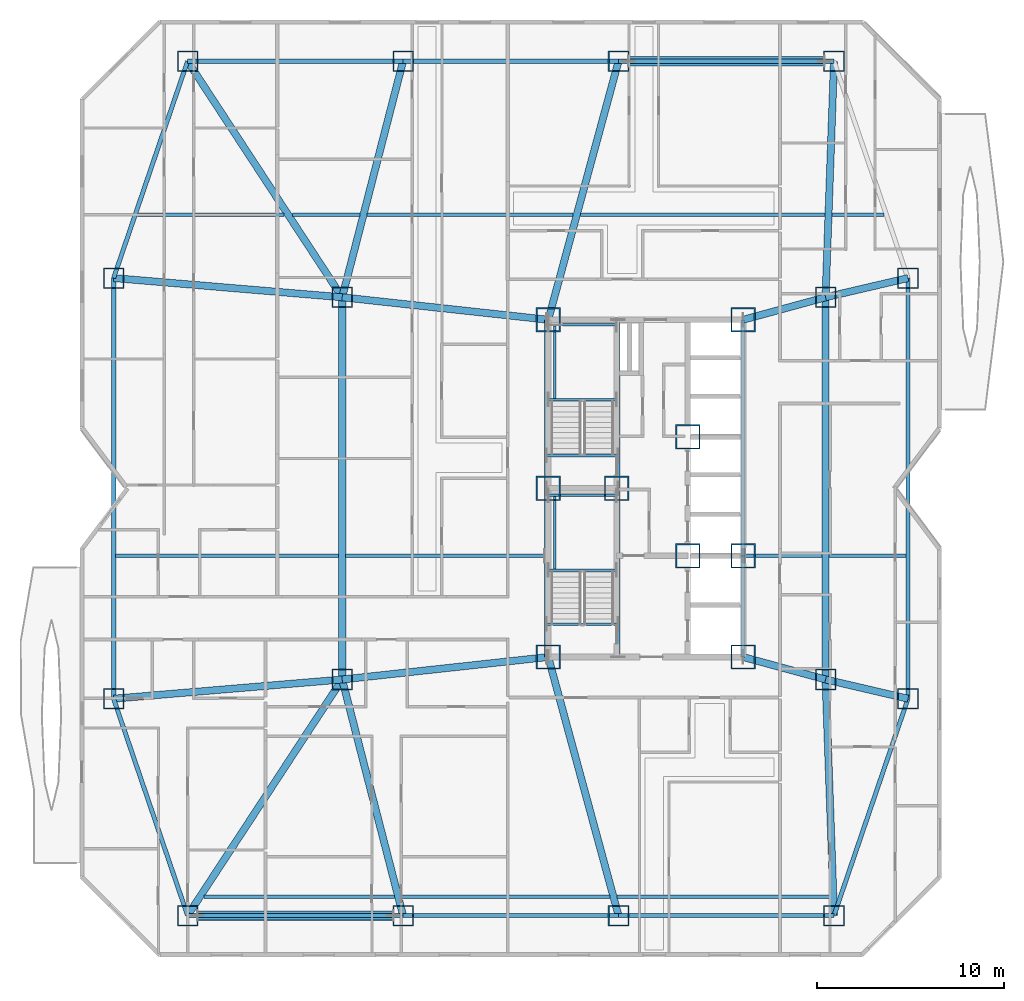
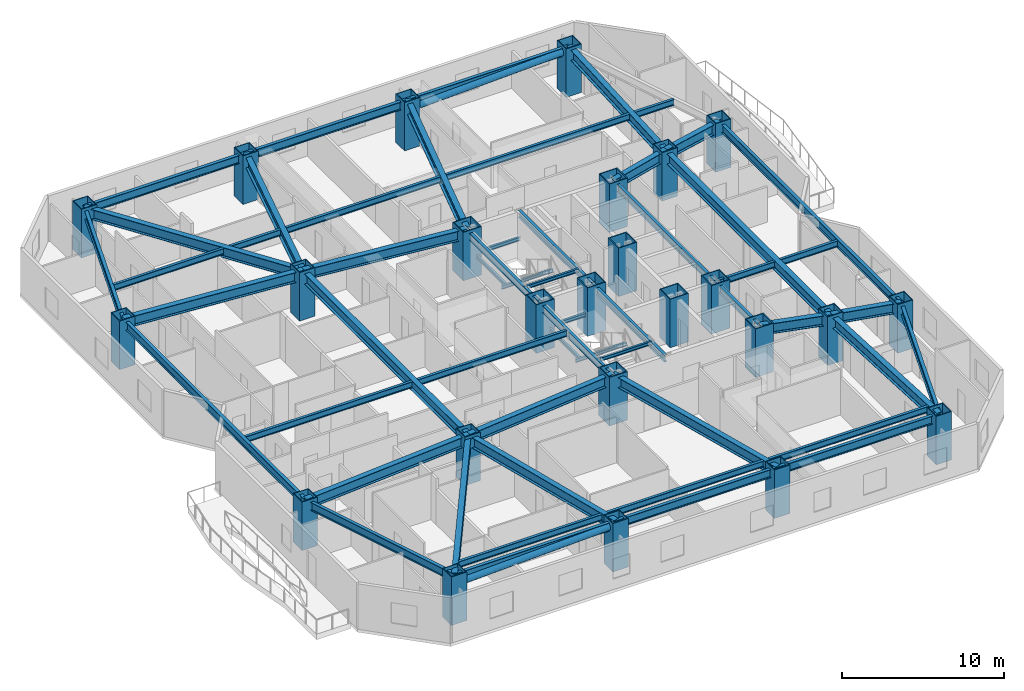
# One storey, part 1 of 17: 55 beams, 25 columns, 2 members.
"""IFC4 building model written with IfcOpenShell, lengths in metres."""

from ifc_helpers import new_model, si_unit, direction, frame, origin, origin_2d, place, context, subcontext, project, spatial, hollow_rectangle, hollow_circle, i_section, extrude, material, material_profile, profile_set, type_object, element, save


model = new_model("IFC4")

# Units and contexts
model_context = context("Model", 3, precision=1e-05, world=origin(), true_north=direction((0.0, 1.0)))
body_context = subcontext(model_context, "Body", "Model", "MODEL_VIEW")
ifc_project = project(units=[si_unit("LENGTHUNIT", "METRE"), si_unit("AREAUNIT", "SQUARE_METRE"), si_unit("VOLUMEUNIT", "CUBIC_METRE"), si_unit("PLANEANGLEUNIT", "RADIAN"), si_unit("MASSUNIT", "GRAM", prefix="KILO")], contexts=[model_context])

# Site, building, storey
site_placement = place(None, origin())
site = spatial("IfcSite", under=ifc_project, at=site_placement, CompositionType="ELEMENT")
building_placement = place(site_placement, origin())
building = spatial("IfcBuilding", under=site, at=building_placement, Name="Khamvora Tower", CompositionType="ELEMENT")
storey_placement = place(building_placement, frame((0.0, 0.0, 44.25)))
storey = spatial("IfcBuildingStorey", under=building, at=storey_placement, Name="L10", CompositionType="ELEMENT", Elevation=44.25)

# Columns
ifc_material_1 = material(Name="Steel S460", Category="steel")
ifc_material_profile_1 = material_profile(ifc_material_1, hollow_rectangle(XDim=1.10009765625, YDim=1.10009765625, WallThickness=0.054931640625, at=origin_2d()), Name="BOX1100x1100x55")
ifc_profile_set_1 = profile_set([ifc_material_profile_1], Name="Steel S460")
column_type_1 = type_object("IfcColumnType", Name="COL-BOX1100", PredefinedType="COLUMN", material=ifc_profile_set_1)
for number, where, z_axis, x_axis, name in (
    (1, (9.75, 5.199951171875, 0.0), (0.0, 0.0, 1.0), (1.0, 0.0, 0.0), "L10 structural frame column S1"),
    (2, (21.25, 5.199951171875, 0.0), (0.0, 0.0, 1.0), (1.0, 0.0, 0.0), "L10 structural frame column S2"),
    (3, (32.75, 5.199951171875, 0.0), (0.0, 0.0, 1.0), (1.0, 0.0, 0.0), "L10 structural frame column S3"),
    (4, (44.25, 5.199951171875, 0.0), (0.0, 0.0, 1.0), (1.0, 0.0, 0.0), "L10 structural frame column S4"),
    (5, (9.75, 50.800048828125, 0.0), (0.0, 0.0, 1.0), (1.0, 0.0, 0.0), "L10 structural frame column N1"),
    (6, (21.25, 50.800048828125, 0.0), (0.0, 0.0, 1.0), (1.0, 0.0, 0.0), "L10 structural frame column N2"),
    (7, (32.75, 50.800048828125, 0.0), (0.0, 0.0, 1.0), (1.0, 0.0, 0.0), "L10 structural frame column N3"),
    (8, (44.25, 50.800048828125, 0.0), (0.0, 0.0, 1.0), (1.0, 0.0, 0.0), "L10 structural frame column N4"),
    (9, (5.800048828125, 16.77490234375, 0.0), (0.0, 0.0, 1.0), (1.0, 0.0, 0.0), "L10 structural frame column W1"),
    (10, (5.800048828125, 39.22509765625, 0.0), (0.0, 0.0, 1.0), (1.0, 0.0, 0.0), "L10 structural frame column W2"),
    (11, (48.199951171875, 16.77490234375, 0.0), (0.0, 0.0, 1.0), (1.0, 0.0, 0.0), "L10 structural frame column E1"),
    (12, (48.199951171875, 39.22509765625, 0.0), (0.0, 0.0, 1.0), (1.0, 0.0, 0.0), "L10 structural frame column E2"),
    (13, (18.0, 17.800048828125, 0.0), (0.0, 0.0, 1.0), (1.0, 0.0, 0.0), "L10 structural frame column MW1"),
    (14, (18.0, 38.199951171875, 0.0), (0.0, 0.0, 1.0), (1.0, 0.0, 0.0), "L10 structural frame column MW2"),
    (15, (43.800048828125, 17.800048828125, 0.0), (0.0, 0.0, 1.0), (1.0, 0.0, 0.0), "L10 structural frame column M1"),
    (16, (43.800048828125, 38.199951171875, 0.0), (0.0, 0.0, 1.0), (1.0, 0.0, 0.0), "L10 structural frame column M2"),
):
    element("IfcColumn", number, at=place(storey_placement, frame(where, z_axis=z_axis, x_axis=x_axis)), inside=storey, type_object=column_type_1, Name=name, PredefinedType="COLUMN", context=body_context, shape_type="SweptSolid", body=[
        extrude(hollow_rectangle(XDim=1.10009765625, YDim=1.10009765625, WallThickness=0.054931640625, at=origin_2d()), origin(), (0.0, 0.0, 1.0), 3.64990234375),
    ])
ifc_material_profile_2 = material_profile(ifc_material_1, hollow_rectangle(XDim=1.300048828125, YDim=1.300048828125, WallThickness=0.06494140625, at=origin_2d()), Name="BOX1300x1300x65")
ifc_profile_set_2 = profile_set([ifc_material_profile_2], Name="Steel S460")
column_type_2 = type_object("IfcColumnType", Name="COL-BOX1300", PredefinedType="COLUMN", material=ifc_profile_set_2)
for number, where, z_axis, x_axis, name in (
    (17, (29.0, 19.0, 0.0), (0.0, 0.0, 1.0), (1.0, 0.0, 0.0), "L10 plumb core spine column SC1"),
    (18, (32.64990234375, 28.0, 0.0), (0.0, 0.0, 1.0), (1.0, 0.0, 0.0), "L10 plumb core spine column SC2"),
    (19, (39.39990234375, 19.0, 0.0), (0.0, 0.0, 1.0), (1.0, 0.0, 0.0), "L10 plumb core spine column SC3"),
    (20, (29.0, 28.0, 0.0), (0.0, 0.0, 1.0), (1.0, 0.0, 0.0), "L10 plumb core spine column SC4"),
    (21, (36.449951171875, 24.39990234375, 0.0), (0.0, 0.0, 1.0), (1.0, 0.0, 0.0), "L10 plumb core spine column SC5"),
    (22, (39.39990234375, 24.39990234375, 0.0), (0.0, 0.0, 1.0), (1.0, 0.0, 0.0), "L10 plumb core spine column SC6"),
    (23, (29.0, 37.0, 0.0), (0.0, 0.0, 1.0), (1.0, 0.0, 0.0), "L10 plumb core spine column SC7"),
    (24, (36.449951171875, 30.75, 0.0), (0.0, 0.0, 1.0), (1.0, 0.0, 0.0), "L10 plumb core spine column SC8"),
    (25, (39.39990234375, 37.0, 0.0), (0.0, 0.0, 1.0), (1.0, 0.0, 0.0), "L10 plumb core spine column SC9"),
):
    element("IfcColumn", number, at=place(storey_placement, frame(where, z_axis=z_axis, x_axis=x_axis)), inside=storey, type_object=column_type_2, Name=name, PredefinedType="COLUMN", context=body_context, shape_type="SweptSolid", body=[
        extrude(hollow_rectangle(XDim=1.300048828125, YDim=1.300048828125, WallThickness=0.06494140625, at=origin_2d()), origin(), (0.0, 0.0, 1.0), 3.64990234375),
    ])

# Beams
ifc_material_2 = material(Name="Steel S355", Category="steel")
ifc_material_profile_3 = material_profile(ifc_material_2, i_section(OverallWidth=0.19189453125, OverallDepth=0.462890625, WebThickness=0.010986328125, FlangeThickness=0.01806640625, FilletRadius=0.011962890625, at=origin_2d()), Name="W460x89")
ifc_profile_set_3 = profile_set([ifc_material_profile_3], Name="Steel S355")
beam_type_1 = type_object("IfcBeamType", Name="BM-JS-W460x89", PredefinedType="JOIST", material=ifc_profile_set_3)
beam_1_placement = place(storey_placement, frame((10.626953125, 6.199951171875, 3.198974609375), z_axis=(1.0, 0.0, 0.0), x_axis=(0.0, 1.0, 0.0)))
element("IfcBeam", 26, at=beam_1_placement, inside=storey, type_object=beam_type_1, Name="L10 secondary floor joist 01", PredefinedType="JOIST", context=body_context, shape_type="SweptSolid", body=[
    extrude(i_section(OverallWidth=0.19189453125, OverallDepth=0.462890625, WebThickness=0.010986328125, FlangeThickness=0.01806640625, FilletRadius=0.011962890625, at=origin_2d()), origin(), (0.0, 0.0, 1.0), 10.173095703125),
])
beam_2_placement = place(storey_placement, frame((21.18408203125, 6.199951171875, 3.198974609375), z_axis=(1.0, 0.0, 0.0), x_axis=(0.0, 1.0, 0.0)))
element("IfcBeam", 27, at=beam_2_placement, inside=storey, type_object=beam_type_1, Name="L10 secondary floor joist 02", PredefinedType="JOIST", context=body_context, shape_type="SweptSolid", body=[
    extrude(i_section(OverallWidth=0.19189453125, OverallDepth=0.462890625, WebThickness=0.010986328125, FlangeThickness=0.01806640625, FilletRadius=0.011962890625, at=origin_2d()), origin(), (0.0, 0.0, 1.0), 11.101806640625),
])
beam_3_placement = place(storey_placement, frame((32.6708984375, 6.199951171875, 3.198974609375), z_axis=(1.0, 0.0, 0.0), x_axis=(0.0, 1.0, 0.0)))
element("IfcBeam", 28, at=beam_3_placement, inside=storey, type_object=beam_type_1, Name="L10 secondary floor joist 03", PredefinedType="JOIST", context=body_context, shape_type="SweptSolid", body=[
    extrude(i_section(OverallWidth=0.19189453125, OverallDepth=0.462890625, WebThickness=0.010986328125, FlangeThickness=0.01806640625, FilletRadius=0.011962890625, at=origin_2d()), origin(), (0.0, 0.0, 1.0), 11.358154296875),
])
beam_4_placement = place(storey_placement, frame((5.909912109375, 24.39990234375, 3.198974609375), z_axis=(1.0, 0.0, 0.0), x_axis=(0.0, 1.0, 0.0)))
element("IfcBeam", 29, at=beam_4_placement, inside=storey, type_object=beam_type_1, Name="L10 secondary floor joist 04", PredefinedType="JOIST", context=body_context, shape_type="SweptSolid", body=[
    extrude(i_section(OverallWidth=0.19189453125, OverallDepth=0.462890625, WebThickness=0.010986328125, FlangeThickness=0.01806640625, FilletRadius=0.011962890625, at=origin_2d()), origin(), (0.0, 0.0, 1.0), 11.904052734375),
])
beam_5_placement = place(storey_placement, frame((18.18603515625, 24.39990234375, 3.198974609375), z_axis=(1.0, 0.0, 0.0), x_axis=(0.0, 1.0, 0.0)))
element("IfcBeam", 30, at=beam_5_placement, inside=storey, type_object=beam_type_1, Name="L10 secondary floor joist 05", PredefinedType="JOIST", context=body_context, shape_type="SweptSolid", body=[
    extrude(i_section(OverallWidth=0.19189453125, OverallDepth=0.462890625, WebThickness=0.010986328125, FlangeThickness=0.01806640625, FilletRadius=0.011962890625, at=origin_2d()), origin(), (0.0, 0.0, 1.0), 10.614013671875),
])
beam_6_placement = place(storey_placement, frame((39.4990234375, 24.39990234375, 3.198974609375), z_axis=(1.0, 0.0, 0.0), x_axis=(0.0, 1.0, 0.0)))
element("IfcBeam", 31, at=beam_6_placement, inside=storey, type_object=beam_type_1, Name="L10 secondary floor joist 06", PredefinedType="JOIST", context=body_context, shape_type="SweptSolid", body=[
    extrude(i_section(OverallWidth=0.19189453125, OverallDepth=0.462890625, WebThickness=0.010986328125, FlangeThickness=0.01806640625, FilletRadius=0.011962890625, at=origin_2d()), origin(), (0.0, 0.0, 1.0), 4.114990234375),
])
beam_7_placement = place(storey_placement, frame((43.985107421875, 24.39990234375, 3.198974609375), z_axis=(1.0, 0.0, 0.0), x_axis=(0.0, 1.0, 0.0)))
element("IfcBeam", 32, at=beam_7_placement, inside=storey, type_object=beam_type_1, Name="L10 secondary floor joist 07", PredefinedType="JOIST", context=body_context, shape_type="SweptSolid", body=[
    extrude(i_section(OverallWidth=0.19189453125, OverallDepth=0.462890625, WebThickness=0.010986328125, FlangeThickness=0.01806640625, FilletRadius=0.011962890625, at=origin_2d()), origin(), (0.0, 0.0, 1.0), 4.10498046875),
])
beam_8_placement = place(storey_placement, frame((7.068115234375, 42.60009765625, 3.198974609375), z_axis=(1.0, 0.0, 0.0), x_axis=(0.0, 1.0, 0.0)))
element("IfcBeam", 33, at=beam_8_placement, inside=storey, type_object=beam_type_1, Name="L10 secondary floor joist 08", PredefinedType="JOIST", context=body_context, shape_type="SweptSolid", body=[
    extrude(i_section(OverallWidth=0.19189453125, OverallDepth=0.462890625, WebThickness=0.010986328125, FlangeThickness=0.01806640625, FilletRadius=0.011962890625, at=origin_2d()), origin(), (0.0, 0.0, 1.0), 7.827880859375),
])
beam_9_placement = place(storey_placement, frame((15.342041015625, 42.60009765625, 3.198974609375), z_axis=(1.0, 0.0, 0.0), x_axis=(0.0, 1.0, 0.0)))
element("IfcBeam", 34, at=beam_9_placement, inside=storey, type_object=beam_type_1, Name="L10 secondary floor joist 09", PredefinedType="JOIST", context=body_context, shape_type="SweptSolid", body=[
    extrude(i_section(OverallWidth=0.19189453125, OverallDepth=0.462890625, WebThickness=0.010986328125, FlangeThickness=0.01806640625, FilletRadius=0.011962890625, at=origin_2d()), origin(), (0.0, 0.0, 1.0), 3.60107421875),
])
beam_10_placement = place(storey_placement, frame((19.326904296875, 42.60009765625, 3.198974609375), z_axis=(1.0, 0.0, 0.0), x_axis=(0.0, 1.0, 0.0)))
element("IfcBeam", 35, at=beam_10_placement, inside=storey, type_object=beam_type_1, Name="L10 secondary floor joist 10", PredefinedType="JOIST", context=body_context, shape_type="SweptSolid", body=[
    extrude(i_section(OverallWidth=0.19189453125, OverallDepth=0.462890625, WebThickness=0.010986328125, FlangeThickness=0.01806640625, FilletRadius=0.011962890625, at=origin_2d()), origin(), (0.0, 0.0, 1.0), 11.002197265625),
])
beam_11_placement = place(storey_placement, frame((30.714111328125, 42.60009765625, 3.198974609375), z_axis=(1.0, 0.0, 0.0), x_axis=(0.0, 1.0, 0.0)))
element("IfcBeam", 36, at=beam_11_placement, inside=storey, type_object=beam_type_1, Name="L10 secondary floor joist 11", PredefinedType="JOIST", context=body_context, shape_type="SweptSolid", body=[
    extrude(i_section(OverallWidth=0.19189453125, OverallDepth=0.462890625, WebThickness=0.010986328125, FlangeThickness=0.01806640625, FilletRadius=0.011962890625, at=origin_2d()), origin(), (0.0, 0.0, 1.0), 13.057861328125),
])
beam_12_placement = place(storey_placement, frame((44.14306640625, 42.60009765625, 3.198974609375), z_axis=(1.0, 0.0, 0.0), x_axis=(0.0, 1.0, 0.0)))
element("IfcBeam", 37, at=beam_12_placement, inside=storey, type_object=beam_type_1, Name="L10 secondary floor joist 12", PredefinedType="JOIST", context=body_context, shape_type="SweptSolid", body=[
    extrude(i_section(OverallWidth=0.19189453125, OverallDepth=0.462890625, WebThickness=0.010986328125, FlangeThickness=0.01806640625, FilletRadius=0.011962890625, at=origin_2d()), origin(), (0.0, 0.0, 1.0), 2.788818359375),
])
ifc_material_profile_4 = material_profile(ifc_material_2, i_section(OverallWidth=0.14697265625, OverallDepth=0.261962890625, WebThickness=0.007080078125, FlangeThickness=0.010986328125, FilletRadius=0.008056640625, at=origin_2d()), Name="W250x39")
ifc_profile_set_4 = profile_set([ifc_material_profile_4], Name="Steel S355")
beam_type_2 = type_object("IfcBeamType", Name="BM-LN-W250x39", PredefinedType="LINTEL", material=ifc_profile_set_4)
for number, where, z_axis, x_axis, name in (
    (38, (29.0, 23.635009765625, 1.493896484375), (1.0, 0.0, 0.0), (0.0, 1.0, 0.0), "L10 ST-01 half-landing support beam 1.1"),
    (39, (29.0, 27.6298828125, 1.493896484375), (1.0, 0.0, 0.0), (0.0, 1.0, 0.0), "L10 ST-01 half-landing support beam 1.2"),
):
    element("IfcBeam", number, at=place(storey_placement, frame(where, z_axis=z_axis, x_axis=x_axis)), inside=storey, type_object=beam_type_2, Name=name, PredefinedType="LINTEL", context=body_context, shape_type="SweptSolid", body=[
        extrude(i_section(OverallWidth=0.14697265625, OverallDepth=0.261962890625, WebThickness=0.007080078125, FlangeThickness=0.010986328125, FilletRadius=0.008056640625, at=origin_2d()), origin(), (0.0, 0.0, 1.0), 3.64990234375),
    ])
beam_13_placement = place(storey_placement, frame((29.35009765625, 23.635009765625, 1.493896484375), z_axis=(0.0, 1.0, 0.0), x_axis=(-1.0, 0.0, 0.0)))
element("IfcBeam", 40, at=beam_13_placement, inside=storey, type_object=beam_type_2, Name="L10 ST-01 half-landing edge stringer 1", PredefinedType="LINTEL", context=body_context, shape_type="SweptSolid", body=[
    extrude(i_section(OverallWidth=0.14697265625, OverallDepth=0.261962890625, WebThickness=0.007080078125, FlangeThickness=0.010986328125, FilletRadius=0.008056640625, at=origin_2d()), origin(), (0.0, 0.0, 1.0), 3.994873046875),
])
for number, where, z_axis, x_axis, name in (
    (41, (29.0, 32.735107421875, 1.493896484375), (1.0, 0.0, 0.0), (0.0, 1.0, 0.0), "L10 ST-02 half-landing support beam 1.1"),
    (42, (29.0, 36.72998046875, 1.493896484375), (1.0, 0.0, 0.0), (0.0, 1.0, 0.0), "L10 ST-02 half-landing support beam 1.2"),
):
    element("IfcBeam", number, at=place(storey_placement, frame(where, z_axis=z_axis, x_axis=x_axis)), inside=storey, type_object=beam_type_2, Name=name, PredefinedType="LINTEL", context=body_context, shape_type="SweptSolid", body=[
        extrude(i_section(OverallWidth=0.14697265625, OverallDepth=0.261962890625, WebThickness=0.007080078125, FlangeThickness=0.010986328125, FilletRadius=0.008056640625, at=origin_2d()), origin(), (0.0, 0.0, 1.0), 3.64990234375),
    ])
beam_14_placement = place(storey_placement, frame((29.35009765625, 32.735107421875, 1.493896484375), z_axis=(0.0, 1.0, 0.0), x_axis=(-1.0, 0.0, 0.0)))
element("IfcBeam", 43, at=beam_14_placement, inside=storey, type_object=beam_type_2, Name="L10 ST-02 half-landing edge stringer 1", PredefinedType="LINTEL", context=body_context, shape_type="SweptSolid", body=[
    extrude(i_section(OverallWidth=0.14697265625, OverallDepth=0.261962890625, WebThickness=0.007080078125, FlangeThickness=0.010986328125, FilletRadius=0.008056640625, at=origin_2d()), origin(), (0.0, 0.0, 1.0), 3.994873046875),
])
for number, where, z_axis, x_axis, name in (
    (44, (28.89990234375, 20.75, 3.303955078125), (1.0, 0.0, 0.0), (0.0, 1.0, 0.0), "L10 exit stair ST-01 landing trimmer beam"),
    (45, (28.89990234375, 29.75, 3.303955078125), (1.0, 0.0, 0.0), (0.0, 1.0, 0.0), "L10 exit stair ST-02 landing trimmer beam"),
):
    element("IfcBeam", number, at=place(storey_placement, frame(where, z_axis=z_axis, x_axis=x_axis)), inside=storey, type_object=beam_type_2, Name=name, PredefinedType="LINTEL", context=body_context, shape_type="SweptSolid", body=[
        extrude(i_section(OverallWidth=0.14697265625, OverallDepth=0.261962890625, WebThickness=0.007080078125, FlangeThickness=0.010986328125, FilletRadius=0.008056640625, at=origin_2d()), origin(), (0.0, 0.0, 1.0), 3.830078125),
    ])
ifc_material_profile_5 = material_profile(ifc_material_2, i_section(OverallWidth=0.381103515625, OverallDepth=0.77294921875, WebThickness=0.01708984375, FlangeThickness=0.027099609375, FilletRadius=0.01806640625, at=origin_2d()), Name="W760x257")
ifc_profile_set_5 = profile_set([ifc_material_profile_5], Name="Steel S355")
beam_type_3 = type_object("IfcBeamType", Name="BM-PG-W760x257", PredefinedType="BEAM", material=ifc_profile_set_5)
for number, where, z_axis, x_axis, name in (
    (46, (43.800048828125, 17.800048828125, 3.0439453125), (0.0, 1.0, 0.0), (-1.0, 0.0, 0.0), "L10 longitudinal frame girder M1-M2"),
    (47, (18.0, 17.800048828125, 3.0439453125), (0.0, 1.0, 0.0), (-1.0, 0.0, 0.0), "L10 longitudinal frame girder MW1-MW2"),
):
    element("IfcBeam", number, at=place(storey_placement, frame(where, z_axis=z_axis, x_axis=x_axis)), inside=storey, type_object=beam_type_3, Name=name, PredefinedType="BEAM", context=body_context, shape_type="SweptSolid", body=[
        extrude(i_section(OverallWidth=0.381103515625, OverallDepth=0.77294921875, WebThickness=0.01708984375, FlangeThickness=0.027099609375, FilletRadius=0.01806640625, at=origin_2d()), origin(), (0.0, 0.0, 1.0), 20.39990234375),
    ])
beam_15_placement = place(storey_placement, frame((18.0, 17.800048828125, 3.0439453125), z_axis=(-0.547782969742, -0.836620474325, 0.0), x_axis=(0.836620474325, -0.547782969742, 0.0)))
element("IfcBeam", 48, at=beam_15_placement, inside=storey, type_object=beam_type_3, Name="L10 primary floor girder S1", PredefinedType="BEAM", context=body_context, shape_type="SweptSolid", body=[
    extrude(i_section(OverallWidth=0.381103515625, OverallDepth=0.77294921875, WebThickness=0.01708984375, FlangeThickness=0.027099609375, FilletRadius=0.01806640625, at=origin_2d()), origin(), (0.0, 0.0, 1.0), 15.060791015625),
])
beam_16_placement = place(storey_placement, frame((18.0, 17.800048828125, 3.0439453125), z_axis=(0.249759990341, -0.968307775051, 0.0), x_axis=(0.968307775051, 0.249759990341, 0.0)))
element("IfcBeam", 49, at=beam_16_placement, inside=storey, type_object=beam_type_3, Name="L10 primary floor girder S2", PredefinedType="BEAM", context=body_context, shape_type="SweptSolid", body=[
    extrude(i_section(OverallWidth=0.381103515625, OverallDepth=0.77294921875, WebThickness=0.01708984375, FlangeThickness=0.027099609375, FilletRadius=0.01806640625, at=origin_2d()), origin(), (0.0, 0.0, 1.0), 13.012451171875),
])
beam_17_placement = place(storey_placement, frame((29.0, 19.0, 3.0439453125), z_axis=(0.262228883577, -0.965005706003, 0.0), x_axis=(0.965005706003, 0.262228883577, 0.0)))
element("IfcBeam", 50, at=beam_17_placement, inside=storey, type_object=beam_type_3, Name="L10 primary floor girder S3", PredefinedType="BEAM", context=body_context, shape_type="SweptSolid", body=[
    extrude(i_section(OverallWidth=0.381103515625, OverallDepth=0.77294921875, WebThickness=0.01708984375, FlangeThickness=0.027099609375, FilletRadius=0.01806640625, at=origin_2d()), origin(), (0.0, 0.0, 1.0), 14.300537109375),
])
beam_18_placement = place(storey_placement, frame((43.800048828125, 17.800048828125, 3.0439453125), z_axis=(0.035687386423, -0.999363002342, 0.0), x_axis=(0.999363002342, 0.035687386423, 0.0)))
element("IfcBeam", 51, at=beam_18_placement, inside=storey, type_object=beam_type_3, Name="L10 primary floor girder S4", PredefinedType="BEAM", context=body_context, shape_type="SweptSolid", body=[
    extrude(i_section(OverallWidth=0.381103515625, OverallDepth=0.77294921875, WebThickness=0.01708984375, FlangeThickness=0.027099609375, FilletRadius=0.01806640625, at=origin_2d()), origin(), (0.0, 0.0, 1.0), 12.608154296875),
])
beam_19_placement = place(storey_placement, frame((18.0, 38.199951171875, 3.0439453125), z_axis=(-0.547782969742, 0.836620474325, 0.0), x_axis=(-0.836620474325, -0.547782969742, 0.0)))
element("IfcBeam", 52, at=beam_19_placement, inside=storey, type_object=beam_type_3, Name="L10 primary floor girder N1", PredefinedType="BEAM", context=body_context, shape_type="SweptSolid", body=[
    extrude(i_section(OverallWidth=0.381103515625, OverallDepth=0.77294921875, WebThickness=0.01708984375, FlangeThickness=0.027099609375, FilletRadius=0.01806640625, at=origin_2d()), origin(), (0.0, 0.0, 1.0), 15.060791015625),
])
beam_20_placement = place(storey_placement, frame((18.0, 38.199951171875, 3.0439453125), z_axis=(0.249759990341, 0.968307775051, 0.0), x_axis=(-0.968307775051, 0.249759990341, 0.0)))
element("IfcBeam", 53, at=beam_20_placement, inside=storey, type_object=beam_type_3, Name="L10 primary floor girder N2", PredefinedType="BEAM", context=body_context, shape_type="SweptSolid", body=[
    extrude(i_section(OverallWidth=0.381103515625, OverallDepth=0.77294921875, WebThickness=0.01708984375, FlangeThickness=0.027099609375, FilletRadius=0.01806640625, at=origin_2d()), origin(), (0.0, 0.0, 1.0), 13.012451171875),
])
beam_21_placement = place(storey_placement, frame((29.0, 37.0, 3.0439453125), z_axis=(0.262228883577, 0.965005706003, 0.0), x_axis=(-0.965005706003, 0.262228883577, 0.0)))
element("IfcBeam", 54, at=beam_21_placement, inside=storey, type_object=beam_type_3, Name="L10 primary floor girder N3", PredefinedType="BEAM", context=body_context, shape_type="SweptSolid", body=[
    extrude(i_section(OverallWidth=0.381103515625, OverallDepth=0.77294921875, WebThickness=0.01708984375, FlangeThickness=0.027099609375, FilletRadius=0.01806640625, at=origin_2d()), origin(), (0.0, 0.0, 1.0), 14.300537109375),
])
beam_22_placement = place(storey_placement, frame((43.800048828125, 38.199951171875, 3.0439453125), z_axis=(0.035687386423, 0.999363002342, 0.0), x_axis=(-0.999363002342, 0.035687386423, 0.0)))
element("IfcBeam", 55, at=beam_22_placement, inside=storey, type_object=beam_type_3, Name="L10 primary floor girder N4", PredefinedType="BEAM", context=body_context, shape_type="SweptSolid", body=[
    extrude(i_section(OverallWidth=0.381103515625, OverallDepth=0.77294921875, WebThickness=0.01708984375, FlangeThickness=0.027099609375, FilletRadius=0.01806640625, at=origin_2d()), origin(), (0.0, 0.0, 1.0), 12.608154296875),
])
for number, where, z_axis, x_axis, name in (
    (56, (18.0, 17.800048828125, 3.0439453125), (-0.996488172114, -0.083733642207, 0.0), (0.083733642207, -0.996488172114, 0.0), "L10 primary floor girder W1"),
    (57, (18.0, 38.199951171875, 3.0439453125), (-0.996488172114, 0.083733642207, 0.0), (-0.083733642207, -0.996488172114, 0.0), "L10 primary floor girder W2"),
):
    element("IfcBeam", number, at=place(storey_placement, frame(where, z_axis=z_axis, x_axis=x_axis)), inside=storey, type_object=beam_type_3, Name=name, PredefinedType="BEAM", context=body_context, shape_type="SweptSolid", body=[
        extrude(i_section(OverallWidth=0.381103515625, OverallDepth=0.77294921875, WebThickness=0.01708984375, FlangeThickness=0.027099609375, FilletRadius=0.01806640625, at=origin_2d()), origin(), (0.0, 0.0, 1.0), 12.242919921875),
    ])
for number, where, z_axis, x_axis, name in (
    (58, (43.800048828125, 17.800048828125, 3.0439453125), (0.973914503503, -0.226915270237, 0.0), (0.226915270237, 0.973914503503, 0.0), "L10 primary floor girder E1"),
    (59, (43.800048828125, 38.199951171875, 3.0439453125), (0.973914503503, 0.226915270237, 0.0), (-0.226915270237, 0.973914503503, 0.0), "L10 primary floor girder E2"),
):
    element("IfcBeam", number, at=place(storey_placement, frame(where, z_axis=z_axis, x_axis=x_axis)), inside=storey, type_object=beam_type_3, Name=name, PredefinedType="BEAM", context=body_context, shape_type="SweptSolid", body=[
        extrude(i_section(OverallWidth=0.381103515625, OverallDepth=0.77294921875, WebThickness=0.01708984375, FlangeThickness=0.027099609375, FilletRadius=0.01806640625, at=origin_2d()), origin(), (0.0, 0.0, 1.0), 4.517822265625),
    ])
for number, where, z_axis, x_axis, name in (
    (60, (29.0, 19.0, 3.0439453125), (-0.994102652327, -0.108443149329, 0.0), (0.108443149329, -0.994102652327, 0.0), "L10 primary floor girder MW1"),
    (61, (29.0, 37.0, 3.0439453125), (-0.994102652327, 0.108443149329, 0.0), (-0.108443149329, -0.994102652327, 0.0), "L10 primary floor girder MW2"),
):
    element("IfcBeam", number, at=place(storey_placement, frame(where, z_axis=z_axis, x_axis=x_axis)), inside=storey, type_object=beam_type_3, Name=name, PredefinedType="BEAM", context=body_context, shape_type="SweptSolid", body=[
        extrude(i_section(OverallWidth=0.381103515625, OverallDepth=0.77294921875, WebThickness=0.01708984375, FlangeThickness=0.027099609375, FilletRadius=0.01806640625, at=origin_2d()), origin(), (0.0, 0.0, 1.0), 11.065185546875),
    ])
for number, where, z_axis, x_axis, name in (
    (62, (39.39990234375, 19.0, 3.0439453125), (0.964768762286, -0.263099287945, 0.0), (0.263099287945, 0.964768762286, 0.0), "L10 primary floor girder M1"),
    (63, (39.39990234375, 37.0, 3.0439453125), (0.964768762286, 0.263099287945, 0.0), (-0.263099287945, 0.964768762286, 0.0), "L10 primary floor girder M2"),
):
    element("IfcBeam", number, at=place(storey_placement, frame(where, z_axis=z_axis, x_axis=x_axis)), inside=storey, type_object=beam_type_3, Name=name, PredefinedType="BEAM", context=body_context, shape_type="SweptSolid", body=[
        extrude(i_section(OverallWidth=0.381103515625, OverallDepth=0.77294921875, WebThickness=0.01708984375, FlangeThickness=0.027099609375, FilletRadius=0.01806640625, at=origin_2d()), origin(), (0.0, 0.0, 1.0), 4.560791015625),
    ])
ifc_material_profile_6 = material_profile(ifc_material_2, i_section(OverallWidth=0.208984375, OverallDepth=0.532958984375, WebThickness=0.010009765625, FlangeThickness=0.01611328125, FilletRadius=0.013916015625, at=origin_2d()), Name="W530x92")
ifc_profile_set_6 = profile_set([ifc_material_profile_6], Name="Steel S355")
beam_type_4 = type_object("IfcBeamType", Name="BM-SP-W530x92", PredefinedType="SPANDREL", material=ifc_profile_set_6)
for number, where, z_axis, x_axis, name in (
    (64, (28.89990234375, 19.0, 3.1630859375), (0.0, 1.0, 0.0), (-1.0, 0.0, 0.0), "L10 core spine girder WS"),
    (65, (28.89990234375, 28.0, 3.1630859375), (0.0, 1.0, 0.0), (-1.0, 0.0, 0.0), "L10 core spine girder WN"),
    (66, (32.72998046875, 19.0, 3.1630859375), (0.0, 1.0, 0.0), (-1.0, 0.0, 0.0), "L10 core spine girder M1S"),
    (67, (32.72998046875, 28.0, 3.1630859375), (0.0, 1.0, 0.0), (-1.0, 0.0, 0.0), "L10 core spine girder M1N"),
):
    element("IfcBeam", number, at=place(storey_placement, frame(where, z_axis=z_axis, x_axis=x_axis)), inside=storey, type_object=beam_type_4, Name=name, PredefinedType="SPANDREL", context=body_context, shape_type="SweptSolid", body=[
        extrude(i_section(OverallWidth=0.208984375, OverallDepth=0.532958984375, WebThickness=0.010009765625, FlangeThickness=0.01611328125, FilletRadius=0.013916015625, at=origin_2d()), origin(), (0.0, 0.0, 1.0), 9.0),
    ])
beam_23_placement = place(storey_placement, frame((39.39990234375, 19.0, 3.1630859375), z_axis=(0.0, 1.0, 0.0), x_axis=(-1.0, 0.0, 0.0)))
element("IfcBeam", 68, at=beam_23_placement, inside=storey, type_object=beam_type_4, Name="L10 core spine girder ES", PredefinedType="SPANDREL", context=body_context, shape_type="SweptSolid", body=[
    extrude(i_section(OverallWidth=0.208984375, OverallDepth=0.532958984375, WebThickness=0.010009765625, FlangeThickness=0.01611328125, FilletRadius=0.013916015625, at=origin_2d()), origin(), (0.0, 0.0, 1.0), 5.39990234375),
])
beam_24_placement = place(storey_placement, frame((39.39990234375, 24.39990234375, 3.1630859375), z_axis=(0.0, 1.0, 0.0), x_axis=(-1.0, 0.0, 0.0)))
element("IfcBeam", 69, at=beam_24_placement, inside=storey, type_object=beam_type_4, Name="L10 core spine girder EN", PredefinedType="SPANDREL", context=body_context, shape_type="SweptSolid", body=[
    extrude(i_section(OverallWidth=0.208984375, OverallDepth=0.532958984375, WebThickness=0.010009765625, FlangeThickness=0.01611328125, FilletRadius=0.013916015625, at=origin_2d()), origin(), (0.0, 0.0, 1.0), 12.60009765625),
])
ifc_material_profile_7 = material_profile(ifc_material_2, i_section(OverallWidth=0.22998046875, OverallDepth=0.616943359375, WebThickness=0.012939453125, FlangeThickness=0.02197265625, FilletRadius=0.013916015625, at=origin_2d()), Name="W610x140")
ifc_profile_set_7 = profile_set([ifc_material_profile_7], Name="Steel S355")
beam_type_5 = type_object("IfcBeamType", Name="BM-SP-W610x140", PredefinedType="SPANDREL", material=ifc_profile_set_7)
beam_25_placement = place(storey_placement, frame((5.800048828125, 16.77490234375, 3.12109375), z_axis=(0.322962893199, -0.946411628002, 0.0), x_axis=(0.946411628002, 0.322962893199, 0.0)))
element("IfcBeam", 70, at=beam_25_placement, inside=storey, type_object=beam_type_5, Name="L10 perimeter spandrel beam W1-S1", PredefinedType="SPANDREL", context=body_context, shape_type="SweptSolid", body=[
    extrude(i_section(OverallWidth=0.22998046875, OverallDepth=0.616943359375, WebThickness=0.012939453125, FlangeThickness=0.02197265625, FilletRadius=0.013916015625, at=origin_2d()), origin(), (0.0, 0.0, 1.0), 12.23046875),
])
for number, where, z_axis, x_axis, name in (
    (71, (9.75, 5.199951171875, 3.12109375), (1.0, 0.0, 0.0), (0.0, 1.0, 0.0), "L10 perimeter spandrel beam S1-S2"),
    (72, (21.25, 5.199951171875, 3.12109375), (1.0, 0.0, 0.0), (0.0, 1.0, 0.0), "L10 perimeter spandrel beam S2-S3"),
    (73, (32.75, 5.199951171875, 3.12109375), (1.0, 0.0, 0.0), (0.0, 1.0, 0.0), "L10 perimeter spandrel beam S3-S4"),
):
    element("IfcBeam", number, at=place(storey_placement, frame(where, z_axis=z_axis, x_axis=x_axis)), inside=storey, type_object=beam_type_5, Name=name, PredefinedType="SPANDREL", context=body_context, shape_type="SweptSolid", body=[
        extrude(i_section(OverallWidth=0.22998046875, OverallDepth=0.616943359375, WebThickness=0.012939453125, FlangeThickness=0.02197265625, FilletRadius=0.013916015625, at=origin_2d()), origin(), (0.0, 0.0, 1.0), 11.5),
    ])
beam_26_placement = place(storey_placement, frame((44.25, 5.199951171875, 3.12109375), z_axis=(0.322962893199, 0.946411628002, 0.0), x_axis=(-0.946411628002, 0.322962893199, 0.0)))
element("IfcBeam", 74, at=beam_26_placement, inside=storey, type_object=beam_type_5, Name="L10 perimeter spandrel beam S4-E1", PredefinedType="SPANDREL", context=body_context, shape_type="SweptSolid", body=[
    extrude(i_section(OverallWidth=0.22998046875, OverallDepth=0.616943359375, WebThickness=0.012939453125, FlangeThickness=0.02197265625, FilletRadius=0.013916015625, at=origin_2d()), origin(), (0.0, 0.0, 1.0), 12.23046875),
])
beam_27_placement = place(storey_placement, frame((48.199951171875, 16.77490234375, 3.12109375), z_axis=(0.0, 1.0, 0.0), x_axis=(-1.0, 0.0, 0.0)))
element("IfcBeam", 75, at=beam_27_placement, inside=storey, type_object=beam_type_5, Name="L10 perimeter spandrel beam E1-E2", PredefinedType="SPANDREL", context=body_context, shape_type="SweptSolid", body=[
    extrude(i_section(OverallWidth=0.22998046875, OverallDepth=0.616943359375, WebThickness=0.012939453125, FlangeThickness=0.02197265625, FilletRadius=0.013916015625, at=origin_2d()), origin(), (0.0, 0.0, 1.0), 22.4501953125),
])
for number, where, z_axis, x_axis, name in (
    (76, (44.25, 50.800048828125, 3.12109375), (-1.0, 0.0, 0.0), (0.0, -1.0, 0.0), "L10 perimeter spandrel beam N4-N3"),
    (77, (32.75, 50.800048828125, 3.12109375), (-1.0, 0.0, 0.0), (0.0, -1.0, 0.0), "L10 perimeter spandrel beam N3-N2"),
    (78, (21.25, 50.800048828125, 3.12109375), (-1.0, 0.0, 0.0), (0.0, -1.0, 0.0), "L10 perimeter spandrel beam N2-N1"),
):
    element("IfcBeam", number, at=place(storey_placement, frame(where, z_axis=z_axis, x_axis=x_axis)), inside=storey, type_object=beam_type_5, Name=name, PredefinedType="SPANDREL", context=body_context, shape_type="SweptSolid", body=[
        extrude(i_section(OverallWidth=0.22998046875, OverallDepth=0.616943359375, WebThickness=0.012939453125, FlangeThickness=0.02197265625, FilletRadius=0.013916015625, at=origin_2d()), origin(), (0.0, 0.0, 1.0), 11.5),
    ])
beam_28_placement = place(storey_placement, frame((9.75, 50.800048828125, 3.12109375), z_axis=(-0.322962893199, -0.946411628002, 0.0), x_axis=(0.946411628002, -0.322962893199, 0.0)))
element("IfcBeam", 79, at=beam_28_placement, inside=storey, type_object=beam_type_5, Name="L10 perimeter spandrel beam N1-W2", PredefinedType="SPANDREL", context=body_context, shape_type="SweptSolid", body=[
    extrude(i_section(OverallWidth=0.22998046875, OverallDepth=0.616943359375, WebThickness=0.012939453125, FlangeThickness=0.02197265625, FilletRadius=0.013916015625, at=origin_2d()), origin(), (0.0, 0.0, 1.0), 12.23046875),
])
beam_29_placement = place(storey_placement, frame((5.800048828125, 39.22509765625, 3.12109375), z_axis=(0.0, -1.0, 0.0), x_axis=(1.0, 0.0, 0.0)))
element("IfcBeam", 80, at=beam_29_placement, inside=storey, type_object=beam_type_5, Name="L10 perimeter spandrel beam W2-W1", PredefinedType="SPANDREL", context=body_context, shape_type="SweptSolid", body=[
    extrude(i_section(OverallWidth=0.22998046875, OverallDepth=0.616943359375, WebThickness=0.012939453125, FlangeThickness=0.02197265625, FilletRadius=0.013916015625, at=origin_2d()), origin(), (0.0, 0.0, 1.0), 22.4501953125),
])

# Members
ifc_material_profile_8 = material_profile(ifc_material_1, hollow_circle(Radius=0.25390625, WallThickness=0.02490234375, at=origin_2d()), Name="CHS508x25")
ifc_profile_set_8 = profile_set([ifc_material_profile_8], Name="Steel S460")
member_type = type_object("IfcMemberType", Name="MEM-BR-CHS508", PredefinedType="BRACE", material=ifc_profile_set_8)
for number, where, z_axis, x_axis, name in (
    (81, (10.280029296875, 5.199951171875, 2.699951171875), (0.999262692599, 0.0, 0.038393634627), (0.0, 1.0, 0.0), "L10 perimeter wind brace 1"),
    (82, (33.280029296875, 50.800048828125, 2.699951171875), (0.999262692599, 0.0, 0.038393634627), (0.0, 1.0, 0.0), "L10 perimeter wind brace 2"),
):
    element("IfcMember", number, at=place(storey_placement, frame(where, z_axis=z_axis, x_axis=x_axis)), inside=storey, type_object=member_type, Name=name, PredefinedType="BRACE", context=body_context, shape_type="SweptSolid", body=[
        extrude(hollow_circle(Radius=0.25390625, WallThickness=0.02490234375, at=origin_2d()), origin(), (0.0, 0.0, 1.0), 10.44775390625),
    ])

save(model, "model.ifc")
